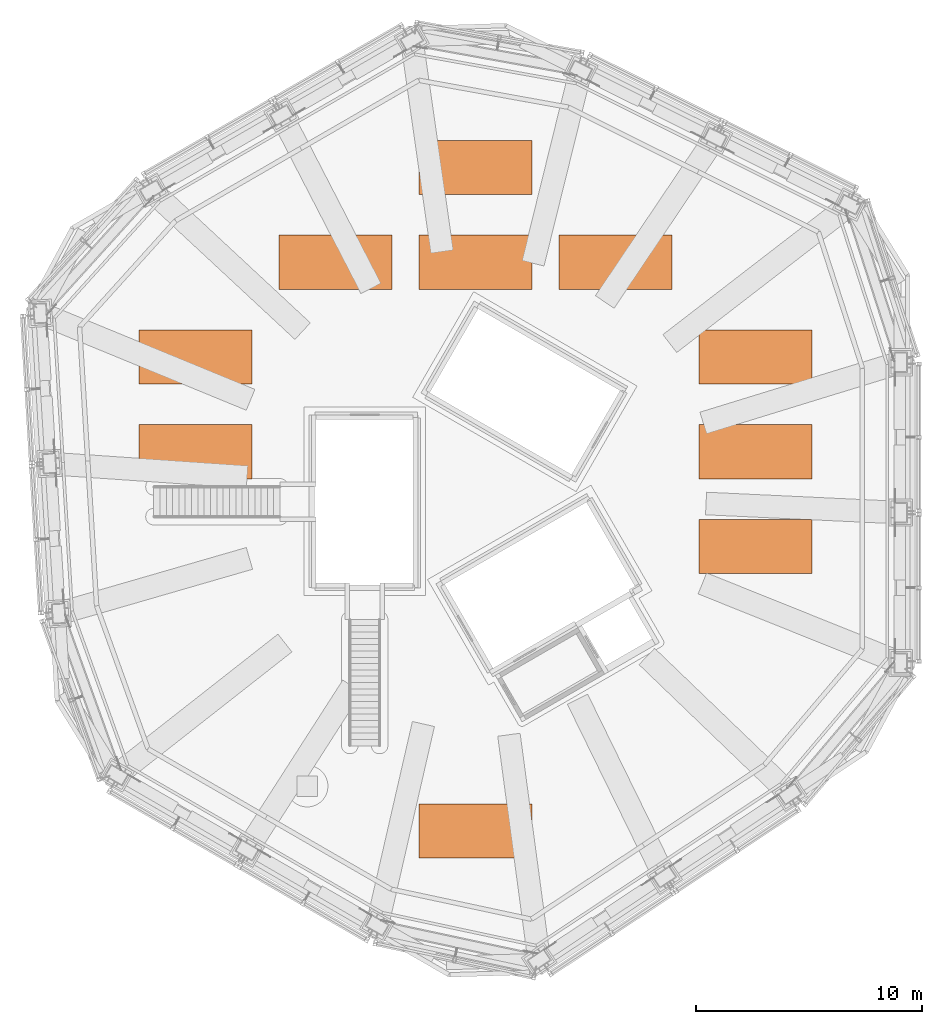
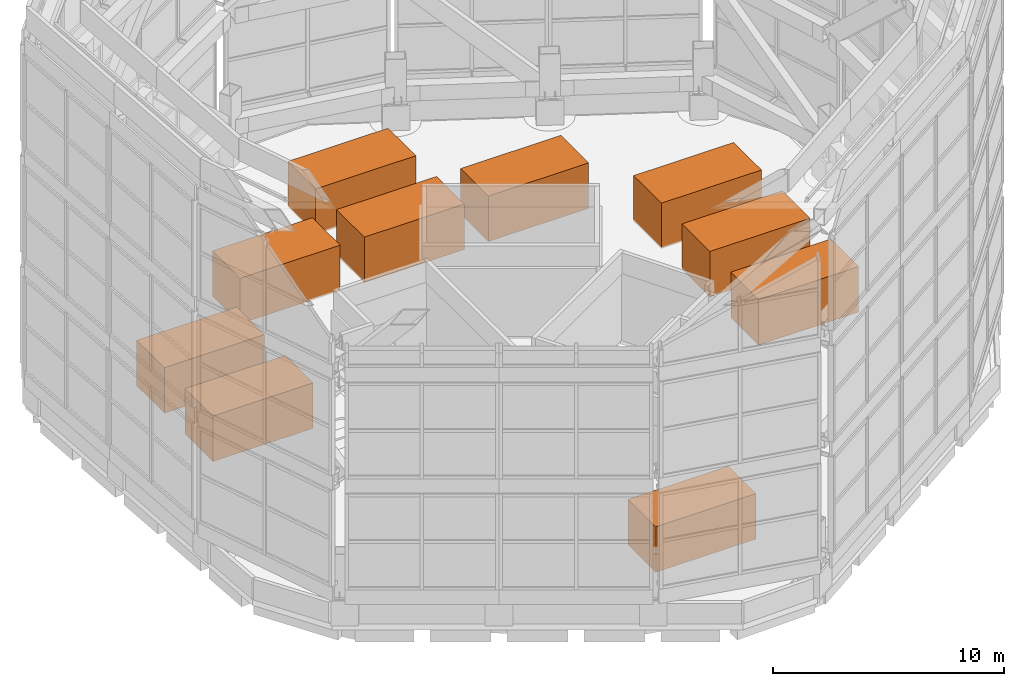
# One storey, part 46 of 46: 10 proxies.
"""IFC4 building model written with IfcOpenShell, lengths in metres."""

from ifc_helpers import new_model, si_unit, direction, frame, origin, origin_2d, place, context, subcontext, project, spatial, rectangle, extrude, material, type_object, element, save


model = new_model("IFC4")

# Units and contexts
model_context = context("Model", 3, precision=1e-05, world=origin(), true_north=direction((0.0, 1.0)))
body_context = subcontext(model_context, "Body", "Model", "MODEL_VIEW")
ifc_project = project(units=[si_unit("LENGTHUNIT", "METRE"), si_unit("AREAUNIT", "SQUARE_METRE"), si_unit("VOLUMEUNIT", "CUBIC_METRE"), si_unit("PLANEANGLEUNIT", "RADIAN"), si_unit("MASSUNIT", "GRAM", prefix="KILO")], contexts=[model_context])

# Site, building, storey
site_placement = place(None, origin())
site = spatial("IfcSite", under=ifc_project, at=site_placement, CompositionType="ELEMENT")
building_placement = place(site_placement, origin())
building = spatial("IfcBuilding", under=site, at=building_placement, Name="Vanh Sen Convention Tower", CompositionType="ELEMENT")
storey_placement = place(building_placement, frame((0.0, 0.0, 305.0)))
storey = spatial("IfcBuildingStorey", under=building, at=storey_placement, Name="Roof level", CompositionType="ELEMENT", Elevation=305.0)

# Proxies
ifc_material = material(Name="Steel S355", Category="steel")
building_element_proxy_type = type_object("IfcBuildingElementProxyType", Name="Roof plant unit 5000 x 2400 x 2400", PredefinedType="USERDEFINED", material=ifc_material)
for number, where, z_axis, x_axis, name in (
    (1, (-0.042724609375, -14.989013671875, 0.0), (0.0, 0.0, 1.0), (1.0, 0.0, 0.0), "Roof plant unit 01 Roof level"),
    (2, (12.357421875, -2.388916015625, 0.0), (0.0, 0.0, 1.0), (1.0, 0.0, 0.0), "Roof plant unit 02 Roof level"),
    (3, (-12.442626953125, 1.81103515625, 0.0), (0.0, 0.0, 1.0), (1.0, 0.0, 0.0), "Roof plant unit 03 Roof level"),
    (4, (12.357421875, 1.81103515625, 0.0), (0.0, 0.0, 1.0), (1.0, 0.0, 0.0), "Roof plant unit 04 Roof level"),
    (5, (-12.442626953125, 6.010986328125, 0.0), (0.0, 0.0, 1.0), (1.0, 0.0, 0.0), "Roof plant unit 05 Roof level"),
    (6, (12.357421875, 6.010986328125, 0.0), (0.0, 0.0, 1.0), (1.0, 0.0, 0.0), "Roof plant unit 06 Roof level"),
    (7, (-6.24267578125, 10.2109375, 0.0), (0.0, 0.0, 1.0), (1.0, 0.0, 0.0), "Roof plant unit 07 Roof level"),
    (8, (-0.042724609375, 10.2109375, 0.0), (0.0, 0.0, 1.0), (1.0, 0.0, 0.0), "Roof plant unit 08 Roof level"),
    (9, (6.1572265625, 10.2109375, 0.0), (0.0, 0.0, 1.0), (1.0, 0.0, 0.0), "Roof plant unit 09 Roof level"),
    (10, (-0.042724609375, 14.410888671875, 0.0), (0.0, 0.0, 1.0), (1.0, 0.0, 0.0), "Roof plant unit 10 Roof level"),
):
    element("IfcBuildingElementProxy", number, at=place(storey_placement, frame(where, z_axis=z_axis, x_axis=x_axis)), inside=storey, type_object=building_element_proxy_type, Name=name, ObjectType="ROOF PLANT UNIT", PredefinedType="USERDEFINED", context=body_context, shape_type="SweptSolid", body=[
        extrude(rectangle(XDim=5.0, YDim=2.39990234375, at=origin_2d()), origin(), (0.0, 0.0, 1.0), 2.39990234375),
    ])

save(model, "model.ifc")
